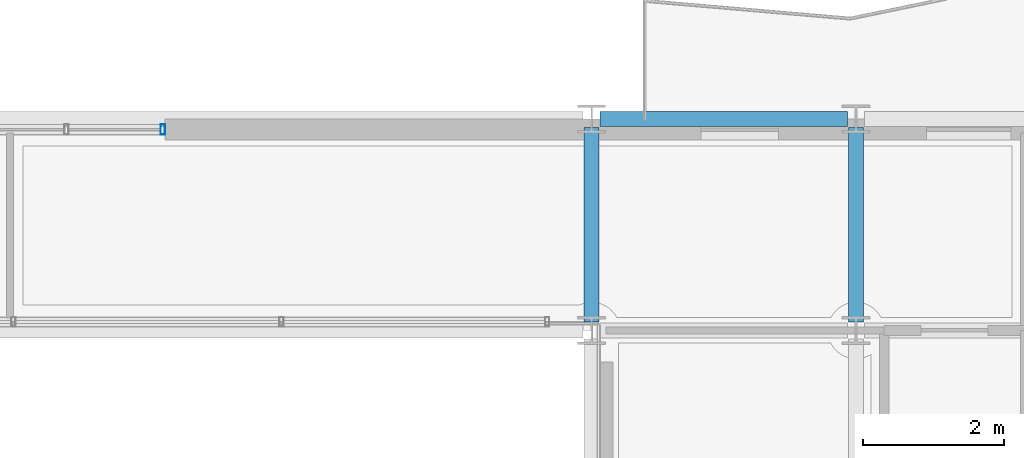
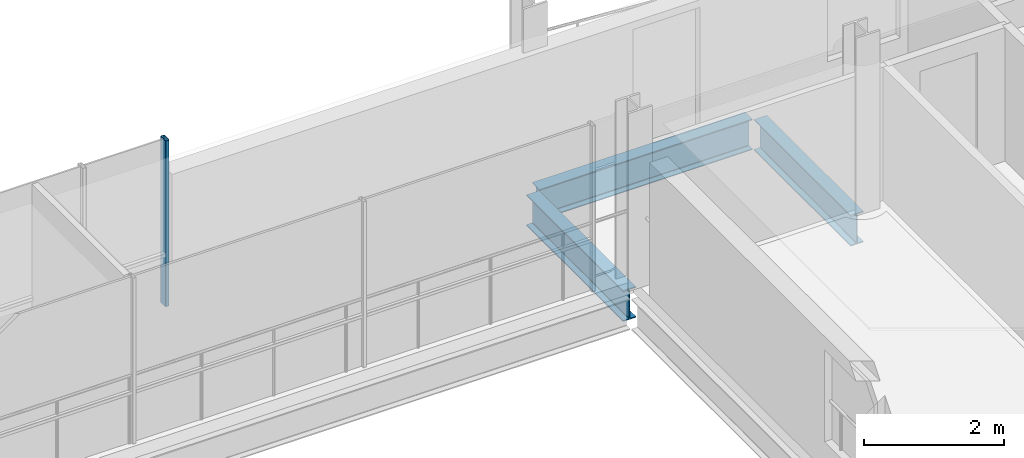
# One storey, part 20 of 38: 3 beams, 1 member, 1 element without a shape of its own.
"""IFC4 building model written with IfcOpenShell, lengths in metres."""

from ifc_helpers import new_model, si_unit, direction, frame, origin, origin_2d, place, context, subcontext, project, spatial, hollow_rectangle, i_section, extrude, material, layer, layer_set, material_profile, profile_set, type_object, element, aggregate, save


model = new_model("IFC4")

# Units and contexts
model_context = context("Model", 3, precision=1e-05, world=origin(), true_north=direction((0.0, 1.0)))
body_context = subcontext(model_context, "Body", "Model", "MODEL_VIEW")
ifc_project = project(units=[si_unit("LENGTHUNIT", "METRE"), si_unit("AREAUNIT", "SQUARE_METRE"), si_unit("VOLUMEUNIT", "CUBIC_METRE"), si_unit("PLANEANGLEUNIT", "RADIAN"), si_unit("MASSUNIT", "GRAM", prefix="KILO")], contexts=[model_context])

# Site, building, storey
site_placement = place(None, origin())
site = spatial("IfcSite", under=ifc_project, at=site_placement, CompositionType="ELEMENT")
building_placement = place(site_placement, origin())
building = spatial("IfcBuilding", under=site, at=building_placement, Name="Brevholm Reach", CompositionType="ELEMENT")
storey_placement = place(building_placement, frame((0.0, 0.0, 186.300048828125)))
storey = spatial("IfcBuildingStorey", under=building, at=storey_placement, Name="L56", CompositionType="ELEMENT", Elevation=186.300048828125)

# Beams
ifc_material_1 = material(Name="Structural Steel S355J2", Category="steel")
ifc_material_profile_1 = material_profile(ifc_material_1, i_section(OverallWidth=0.209228515625, OverallDepth=0.533203125, WebThickness=0.010009765625, FlangeThickness=0.015625, FilletRadius=0.0126953125, at=origin_2d()), Name="UKB 533x210x92")
ifc_profile_set_1 = profile_set([ifc_material_profile_1], Name="Structural Steel S355J2")
beam_type_1 = type_object("IfcBeamType", Name="BM-SP533", PredefinedType="SPANDREL", material=ifc_profile_set_1)
beam_placement = place(storey_placement, frame((38.3701171875, 26.5, -0.4765625), z_axis=(1.0, 0.0, 0.0), x_axis=(0.0, 1.0, 0.0)))
element("IfcBeam", 1, at=beam_placement, inside=storey, type_object=beam_type_1, Name="L56 SP-02 Framing Beam", PredefinedType="SPANDREL", context=body_context, shape_type="SweptSolid", body=[
    extrude(i_section(OverallWidth=0.209228515625, OverallDepth=0.533203125, WebThickness=0.010009765625, FlangeThickness=0.015625, FilletRadius=0.0126953125, at=origin_2d()), origin(), (0.0, 0.0, 1.0), 3.509765625),
])
ifc_material_2 = material(Name="Structural Steel S355J2", Category="steel")
ifc_material_profile_2 = material_profile(ifc_material_2, i_section(OverallWidth=0.210693359375, OverallDepth=0.53955078125, WebThickness=0.01171875, FlangeThickness=0.018798828125, FilletRadius=0.0126953125, at=origin_2d()), Name="UKB 533x210x109")
ifc_profile_set_2 = profile_set([ifc_material_profile_2], Name="Structural Steel S355J2")
beam_type_2 = type_object("IfcBeamType", Name="BM-SP539", PredefinedType="SPANDREL", material=ifc_profile_set_2)
for number, where, z_axis, x_axis, name in (
    (2, (38.25, 23.6201171875, -0.479736328125), (0.0, 1.0, 0.0), (-1.0, 0.0, 0.0), "L56 SP-01B Framing Beam"),
    (3, (42.0, 23.6201171875, -0.479736328125), (0.0, 1.0, 0.0), (-1.0, 0.0, 0.0), "L56 SP-01B Framing Beam"),
):
    element("IfcBeam", number, at=place(storey_placement, frame(where, z_axis=z_axis, x_axis=x_axis)), inside=storey, type_object=beam_type_2, Name=name, PredefinedType="SPANDREL", context=body_context, shape_type="SweptSolid", body=[
        extrude(i_section(OverallWidth=0.210693359375, OverallDepth=0.53955078125, WebThickness=0.01171875, FlangeThickness=0.018798828125, FilletRadius=0.0126953125, at=origin_2d()), origin(), (0.0, 0.0, 1.0), 2.759765625),
    ])

# Curtain wall, member
ifc_material_3 = material(Name="Dark Anodised Aluminium 6063-T6 and Solar-Control Glass", Category="aluminium")
ifc_layer = layer(ifc_material_3, 0.14990234375)
ifc_layer_set = layer_set([ifc_layer], Name="Dark Anodised Aluminium 6063-T6 and Solar-Control Glass")
curtain_wall_type = type_object("IfcCurtainWallType", Name="CW-01", PredefinedType="NOTDEFINED", material=ifc_layer_set)
curtain_wall_placement = place(storey_placement, origin())
curtain_wall = element("IfcCurtainWall", 4, at=curtain_wall_placement, inside=storey, type_object=curtain_wall_type, Name="L56 Curtain Wall CW-01", PredefinedType="NOTDEFINED")
ifc_material_4 = material(Name="Dark Anodised Aluminium 6063-T6", Category="aluminium")
ifc_material_profile_3 = material_profile(ifc_material_4, hollow_rectangle(XDim=0.06494140625, YDim=0.14990234375, WallThickness=0.0048828125, InnerFilletRadius=0.0048828125, OuterFilletRadius=0.010009765625, at=origin_2d()), Name="RHS 150x65x5")
ifc_profile_set_3 = profile_set([ifc_material_profile_3], Name="Dark Anodised Aluminium 6063-T6")
member_type = type_object("IfcMemberType", Name="CWM-150", PredefinedType="MULLION", material=ifc_profile_set_3)
member_placement = place(storey_placement, frame((32.16748046875, 26.35009765625, 0.0), z_axis=(0.0, 0.0, 1.0), x_axis=(1.0, 0.0, 0.0)))
member = element("IfcMember", 5, at=member_placement, type_object=member_type, Name="CM-150 Mullion 3", PredefinedType="MULLION", context=body_context, shape_type="SweptSolid", body=[
    extrude(hollow_rectangle(XDim=0.06494140625, YDim=0.14990234375, WallThickness=0.0048828125, InnerFilletRadius=0.0048828125, OuterFilletRadius=0.010009765625, at=origin_2d()), origin(), (0.0, 0.0, 1.0), 2.889892578125),
])
aggregate(curtain_wall, [member])

save(model, "model.ifc")
